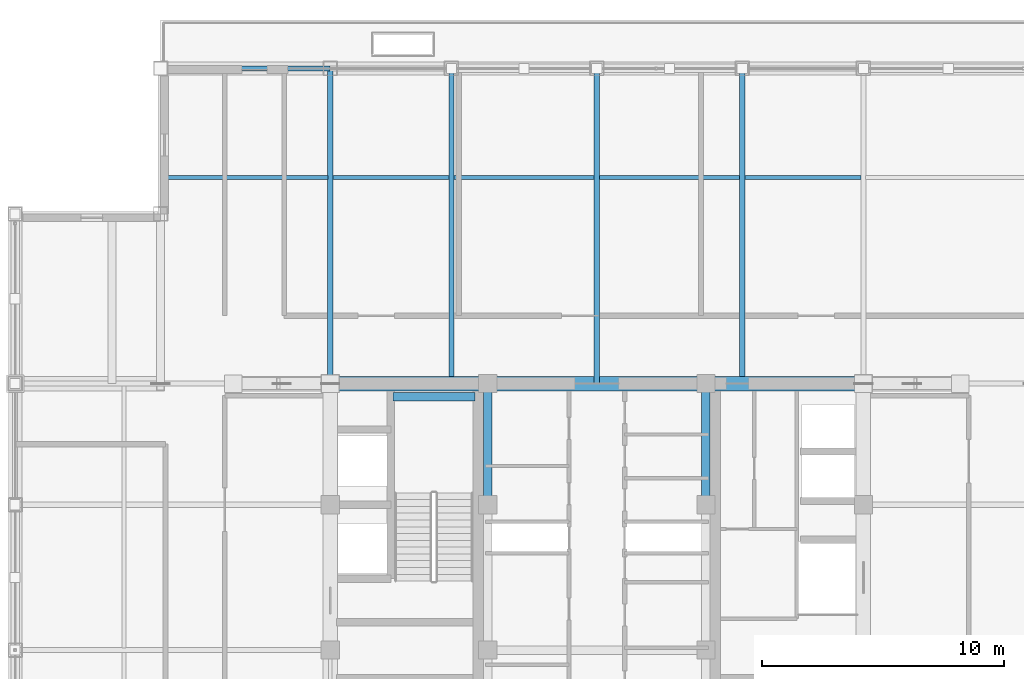
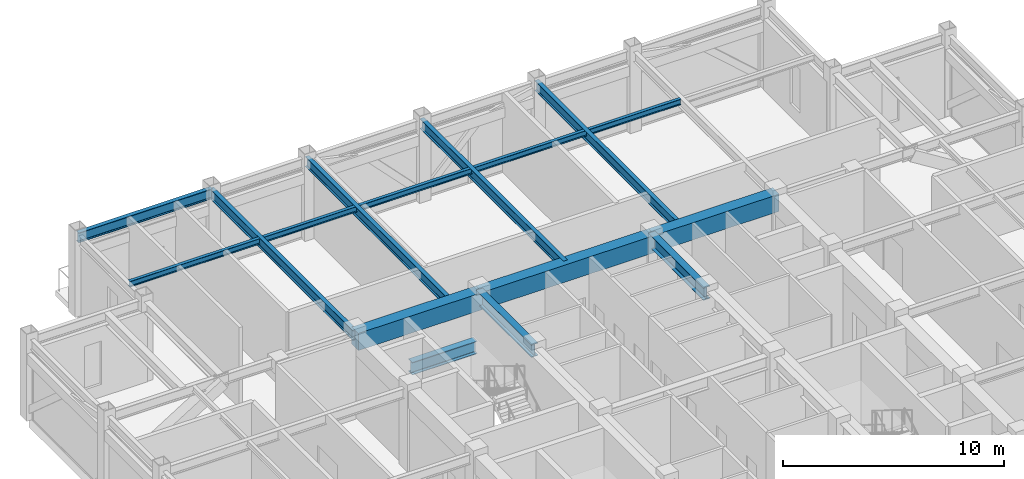
# One storey, part 15 of 32: 13 beams.
"""IFC4 building model written with IfcOpenShell, lengths in metres."""

from ifc_helpers import new_model, si_unit, direction, frame, origin, origin_2d, place, context, subcontext, project, spatial, rectangle, i_section, extrude, source, transform, mapped, material, material_profile, profile_set, type_object, element, save


model = new_model("IFC4")

# Units and contexts
model_context = context("Model", 3, precision=1e-05, world=origin(), true_north=direction((0.0, 1.0)))
body_context = subcontext(model_context, "Body", "Model", "MODEL_VIEW")
ifc_project = project(units=[si_unit("LENGTHUNIT", "METRE"), si_unit("AREAUNIT", "SQUARE_METRE"), si_unit("VOLUMEUNIT", "CUBIC_METRE"), si_unit("PLANEANGLEUNIT", "RADIAN"), si_unit("MASSUNIT", "GRAM", prefix="KILO")], contexts=[model_context])

# Site, building, storey
site_placement = place(None, origin())
site = spatial("IfcSite", under=ifc_project, at=site_placement, CompositionType="ELEMENT")
building_placement = place(site_placement, origin())
building = spatial("IfcBuilding", under=site, at=building_placement, Name="Khorayat Bourse Tower", CompositionType="ELEMENT")
storey_placement = place(building_placement, frame((0.0, 0.0, 375.5)))
storey = spatial("IfcBuildingStorey", under=building, at=storey_placement, Name="L89", CompositionType="ELEMENT", Elevation=375.5)

# Beams
ifc_material_1 = material(Name="Steel ASTM A992 Grade 50", Category="steel")
ifc_material_profile_1 = material_profile(ifc_material_1, i_section(OverallWidth=0.35498046875, OverallDepth=0.695068359375, WebThickness=0.015380859375, FlangeThickness=0.02490234375, FilletRadius=0.01806640625, at=origin_2d()), Name="W690X217")
ifc_profile_set_1 = profile_set([ifc_material_profile_1], Name="Steel ASTM A992 Grade 50")
beam_type_1 = type_object("IfcBeamType", Name="BM-GIRD-690", PredefinedType="BEAM", material=ifc_profile_set_1)
shared_shape_1 = source(origin(), body_context, "Body", "SweptSolid", [
    extrude(i_section(OverallWidth=0.35498046875, OverallDepth=0.695068359375, WebThickness=0.015380859375, FlangeThickness=0.02490234375, FilletRadius=0.01806640625, at=origin_2d()), origin(), (0.0, 0.0, 1.0), 5.0),
])
for number, where, z_axis, x_axis, name in (
    (1, (-4.5, 6.0, 4.1025390625), (0.0, 1.0, 0.0), (-1.0, 0.0, 0.0), "L89 BM-GIRD-690 BM-L89-CRX-08"),
    (2, (4.5, 6.0, 4.1025390625), (0.0, 1.0, 0.0), (-1.0, 0.0, 0.0), "L89 BM-GIRD-690 BM-L89-CRX-12"),
):
    element("IfcBeam", number, at=place(storey_placement, frame(where, z_axis=z_axis, x_axis=x_axis)), inside=storey, type_object=beam_type_1, Name=name, PredefinedType="BEAM", context=body_context, shape_type="MappedRepresentation", body=[
        mapped(shared_shape_1, transform((0.0, 0.0, 0.0), scale=1.0)),
    ])
shared_shape_2 = source(origin(), body_context, "Body", "SweptSolid", [
    extrude(i_section(OverallWidth=0.35498046875, OverallDepth=0.695068359375, WebThickness=0.015380859375, FlangeThickness=0.02490234375, FilletRadius=0.01806640625, at=origin_2d()), origin(), (0.0, 0.0, 1.0), 3.39990234375),
])
beam_1_placement = place(storey_placement, frame((-8.419921875, 10.449951171875, 1.8525390625), z_axis=(1.0, 0.0, 0.0), x_axis=(0.0, 1.0, 0.0)))
element("IfcBeam", 3, at=beam_1_placement, inside=storey, type_object=beam_type_1, Name="L89 BM-GIRD-690 BM-L89-ST2L", PredefinedType="BEAM", context=body_context, shape_type="MappedRepresentation", body=[
    mapped(shared_shape_2, transform((0.0, 0.0, 0.0), scale=1.0)),
])
ifc_material_2 = material(Name="Concrete C60/75", Category="concrete")
ifc_material_profile_2 = material_profile(ifc_material_2, rectangle(XDim=0.60009765625, YDim=0.949951171875, at=origin_2d()), Name="RC 600x950")
ifc_profile_set_2 = profile_set([ifc_material_profile_2], Name="Concrete C60/75")
beam_type_2 = type_object("IfcBeamType", Name="BM-COUP-950", PredefinedType="BEAM", material=ifc_profile_set_2)
shared_shape_3 = source(origin(), body_context, "Body", "SweptSolid", [
    extrude(rectangle(XDim=0.60009765625, YDim=0.949951171875, at=origin_2d()), origin(), (0.0, 0.0, 1.0), 6.5),
])
for number, where, z_axis, x_axis, name in (
    (4, (-11.0, 11.0, 3.97509765625), (1.0, 0.0, 0.0), (0.0, 1.0, 0.0), "L89 BM-COUP-950 BM-L89-CRY-20"),
    (5, (4.5, 11.0, 3.97509765625), (1.0, 0.0, 0.0), (0.0, 1.0, 0.0), "L89 BM-COUP-950 BM-L89-CRY-22"),
):
    element("IfcBeam", number, at=place(storey_placement, frame(where, z_axis=z_axis, x_axis=x_axis)), inside=storey, type_object=beam_type_2, Name=name, PredefinedType="BEAM", context=body_context, shape_type="MappedRepresentation", body=[
        mapped(shared_shape_3, transform((0.0, 0.0, 0.0), scale=1.0)),
    ])
shared_shape_4 = source(origin(), body_context, "Body", "SweptSolid", [
    extrude(rectangle(XDim=0.60009765625, YDim=0.949951171875, at=origin_2d()), origin(), (0.0, 0.0, 1.0), 9.0),
])
beam_2_placement = place(storey_placement, frame((-4.5, 11.0, 3.97509765625), z_axis=(1.0, 0.0, 0.0), x_axis=(0.0, 1.0, 0.0)))
element("IfcBeam", 6, at=beam_2_placement, inside=storey, type_object=beam_type_2, Name="L89 BM-COUP-950 BM-L89-CRY-21", PredefinedType="BEAM", context=body_context, shape_type="MappedRepresentation", body=[
    mapped(shared_shape_4, transform((0.0, 0.0, 0.0), scale=1.0)),
])
ifc_material_profile_3 = material_profile(ifc_material_1, i_section(OverallWidth=0.214111328125, OverallDepth=0.549072265625, WebThickness=0.0146484375, FlangeThickness=0.023681640625, FilletRadius=0.013916015625, at=origin_2d()), Name="W530X138")
ifc_profile_set_3 = profile_set([ifc_material_profile_3], Name="Steel ASTM A992 Grade 50")
beam_type_3 = type_object("IfcBeamType", Name="BM-SPAN-530", PredefinedType="SPANDREL", material=ifc_profile_set_3)
shared_shape_5 = source(origin(), body_context, "Body", "SweptSolid", [
    extrude(i_section(OverallWidth=0.214111328125, OverallDepth=0.549072265625, WebThickness=0.0146484375, FlangeThickness=0.023681640625, FilletRadius=0.013916015625, at=origin_2d()), origin(), (0.0, 0.0, 1.0), 7.0),
])
beam_3_placement = place(storey_placement, frame((-18.0, 24.0, 4.175537109375), z_axis=(1.0, 0.0, 0.0), x_axis=(0.0, 1.0, 0.0)))
element("IfcBeam", 7, at=beam_3_placement, inside=storey, type_object=beam_type_3, Name="L89 BM-SPAN-530 BM-L89-SPN-045", PredefinedType="SPANDREL", context=body_context, shape_type="MappedRepresentation", body=[
    mapped(shared_shape_5, transform((0.0, 0.0, 0.0), scale=1.0)),
])
ifc_material_profile_4 = material_profile(ifc_material_1, i_section(OverallWidth=0.214111328125, OverallDepth=0.549072265625, WebThickness=0.0146484375, FlangeThickness=0.023681640625, FilletRadius=0.013916015625, at=origin_2d()), Name="W530X138")
ifc_profile_set_4 = profile_set([ifc_material_profile_4], Name="Steel ASTM A992 Grade 50")
beam_type_4 = type_object("IfcBeamType", Name="BM-GIRD-530", PredefinedType="BEAM", material=ifc_profile_set_4)
shared_shape_6 = source(origin(), body_context, "Body", "SweptSolid", [
    extrude(i_section(OverallWidth=0.214111328125, OverallDepth=0.549072265625, WebThickness=0.0146484375, FlangeThickness=0.023681640625, FilletRadius=0.013916015625, at=origin_2d()), origin(), (0.0, 0.0, 1.0), 13.0),
])
for number, where, z_axis, x_axis, name in (
    (8, (-11.0, 11.0, 4.175537109375), (0.0, 1.0, 0.0), (-1.0, 0.0, 0.0), "L89 BM-GIRD-530 BM-L89-RADY-056"),
    (9, (-6.0, 11.0, 4.175537109375), (0.0, 1.0, 0.0), (-1.0, 0.0, 0.0), "L89 BM-GIRD-530 BM-L89-RADY-058"),
    (10, (0.0, 11.0, 4.175537109375), (0.0, 1.0, 0.0), (-1.0, 0.0, 0.0), "L89 BM-GIRD-530 BM-L89-RADY-060"),
    (11, (6.0, 11.0, 4.175537109375), (0.0, 1.0, 0.0), (-1.0, 0.0, 0.0), "L89 BM-GIRD-530 BM-L89-RADY-062"),
):
    element("IfcBeam", number, at=place(storey_placement, frame(where, z_axis=z_axis, x_axis=x_axis)), inside=storey, type_object=beam_type_4, Name=name, PredefinedType="BEAM", context=body_context, shape_type="MappedRepresentation", body=[
        mapped(shared_shape_6, transform((0.0, 0.0, 0.0), scale=1.0)),
    ])
ifc_material_profile_5 = material_profile(ifc_material_1, i_section(OverallWidth=0.1669921875, OverallDepth=0.31689453125, WebThickness=0.007568359375, FlangeThickness=0.01318359375, FilletRadius=0.010009765625, at=origin_2d()), Name="W310X52")
ifc_profile_set_5 = profile_set([ifc_material_profile_5], Name="Steel ASTM A992 Grade 50")
beam_type_5 = type_object("IfcBeamType", Name="BM-JOIST-310", PredefinedType="JOIST", material=ifc_profile_set_5)
shared_shape_7 = source(origin(), body_context, "Body", "SweptSolid", [
    extrude(i_section(OverallWidth=0.1669921875, OverallDepth=0.31689453125, WebThickness=0.007568359375, FlangeThickness=0.01318359375, FilletRadius=0.010009765625, at=origin_2d()), origin(), (0.0, 0.0, 1.0), 6.81005859375),
])
beam_4_placement = place(storey_placement, frame((-17.905029296875, 19.5, 4.29150390625), z_axis=(1.0, 0.0, 0.0), x_axis=(0.0, 1.0, 0.0)))
element("IfcBeam", 12, at=beam_4_placement, inside=storey, type_object=beam_type_5, Name="L89 BM-JOIST-310 BM-L89-JSTX-087", PredefinedType="JOIST", context=body_context, shape_type="MappedRepresentation", body=[
    mapped(shared_shape_7, transform((0.0, 0.0, 0.0), scale=1.0)),
])
shared_shape_8 = source(origin(), body_context, "Body", "SweptSolid", [
    extrude(i_section(OverallWidth=0.1669921875, OverallDepth=0.31689453125, WebThickness=0.007568359375, FlangeThickness=0.01318359375, FilletRadius=0.010009765625, at=origin_2d()), origin(), (0.0, 0.0, 1.0), 21.81005859375),
])
beam_5_placement = place(storey_placement, frame((-10.905029296875, 19.5, 4.29150390625), z_axis=(1.0, 0.0, 0.0), x_axis=(0.0, 1.0, 0.0)))
element("IfcBeam", 13, at=beam_5_placement, inside=storey, type_object=beam_type_5, Name="L89 BM-JOIST-310 BM-L89-JSTX-088", PredefinedType="JOIST", context=body_context, shape_type="MappedRepresentation", body=[
    mapped(shared_shape_8, transform((0.0, 0.0, 0.0), scale=1.0)),
])

save(model, "model.ifc")
